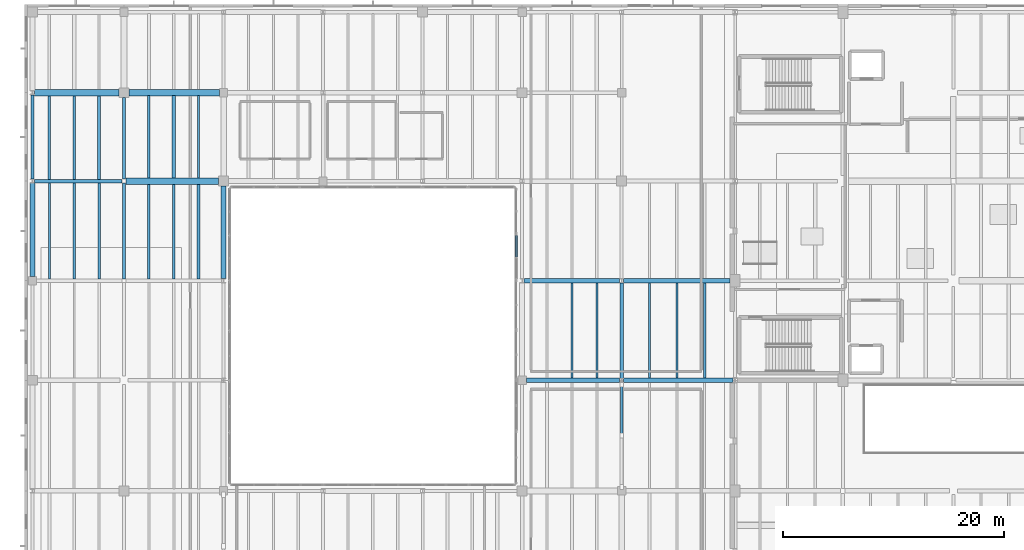
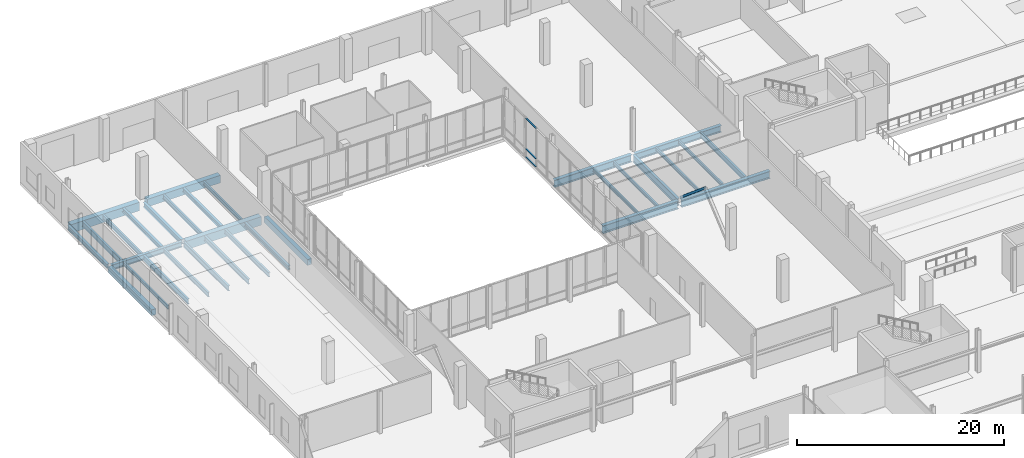
# One storey, part 39 of 88: 31 beams, 4 members, 1 element without a shape of its own.
"""IFC4 building model written with IfcOpenShell, lengths in metres."""

from ifc_helpers import new_model, si_unit, direction, frame, origin, origin_2d, place, context, subcontext, project, spatial, rectangle, hollow_rectangle, i_section, extrude, material, material_profile, profile_set, type_object, element, aggregate, save


model = new_model("IFC4")

# Units and contexts
model_context = context("Model", 3, precision=1e-05, world=origin(), true_north=direction((0.0, 1.0)))
body_context = subcontext(model_context, "Body", "Model", "MODEL_VIEW")
ifc_project = project(units=[si_unit("LENGTHUNIT", "METRE"), si_unit("AREAUNIT", "SQUARE_METRE"), si_unit("VOLUMEUNIT", "CUBIC_METRE"), si_unit("PLANEANGLEUNIT", "RADIAN"), si_unit("MASSUNIT", "GRAM", prefix="KILO")], contexts=[model_context])

# Site, building, storey
site_placement = place(None, origin())
site = spatial("IfcSite", under=ifc_project, at=site_placement, CompositionType="ELEMENT")
building_placement = place(site_placement, origin())
building = spatial("IfcBuilding", under=site, at=building_placement, Name="Trimount Lyric Opera House", CompositionType="ELEMENT")
storey_placement = place(building_placement, origin())
storey = spatial("IfcBuildingStorey", under=building, at=storey_placement, Name="L00", CompositionType="ELEMENT", Elevation=0.0)

# Beams
ifc_material_1 = material(Name="Steel ASTM A992 Grade 50", Category="steel")
ifc_material_profile_1 = material_profile(ifc_material_1, i_section(OverallWidth=0.4189453125, OverallDepth=0.927001953125, WebThickness=0.019287109375, FlangeThickness=0.031982421875, FilletRadius=0.02392578125, at=origin_2d()), Name="W36X231")
ifc_profile_set_1 = profile_set([ifc_material_profile_1], Name="Steel ASTM A992 Grade 50")
beam_type_1 = type_object("IfcBeamType", Name="B-02", PredefinedType="BEAM", material=ifc_profile_set_1)
beam_1_placement = place(storey_placement, frame((45.375, 84.0, -0.8134765625), z_axis=(1.0, 0.0, 0.0), x_axis=(0.0, 1.0, 0.0)))
element("IfcBeam", 1, at=beam_1_placement, inside=storey, type_object=beam_type_1, Name="L00 girder X-0162", PredefinedType="BEAM", context=body_context, shape_type="SweptSolid", body=[
    extrude(i_section(OverallWidth=0.4189453125, OverallDepth=0.927001953125, WebThickness=0.019287109375, FlangeThickness=0.031982421875, FilletRadius=0.02392578125, at=origin_2d()), origin(), (0.0, 0.0, 1.0), 8.44091796875),
])
ifc_material_2 = material(Name="Steel ASTM A992 Grade 50", Category="steel")
ifc_material_profile_2 = material_profile(ifc_material_2, i_section(OverallWidth=0.40087890625, OverallDepth=0.861083984375, WebThickness=0.019775390625, FlangeThickness=0.032470703125, FilletRadius=0.02001953125, at=origin_2d()), Name="W33X221")
ifc_profile_set_2 = profile_set([ifc_material_profile_2], Name="Steel ASTM A992 Grade 50")
beam_type_2 = type_object("IfcBeamType", Name="B-04", PredefinedType="BEAM", material=ifc_profile_set_2)
beam_2_placement = place(storey_placement, frame((54.18408203125, 84.0, -0.83056640625), z_axis=(1.0, 0.0, 0.0), x_axis=(0.0, 1.0, 0.0)))
element("IfcBeam", 2, at=beam_2_placement, inside=storey, type_object=beam_type_2, Name="L00 girder X-0163", PredefinedType="BEAM", context=body_context, shape_type="SweptSolid", body=[
    extrude(i_section(OverallWidth=0.40087890625, OverallDepth=0.861083984375, WebThickness=0.019775390625, FlangeThickness=0.032470703125, FilletRadius=0.02001953125, at=origin_2d()), origin(), (0.0, 0.0, 1.0), 9.864990234375),
])
beam_3_placement = place(storey_placement, frame((45.18408203125, 93.0, -0.780517578125), z_axis=(1.0, 0.0, 0.0), x_axis=(0.0, 1.0, 0.0)))
element("IfcBeam", 3, at=beam_3_placement, inside=storey, type_object=beam_type_2, Name="L00 girder X-0175", PredefinedType="BEAM", context=body_context, shape_type="SweptSolid", body=[
    extrude(i_section(OverallWidth=0.40087890625, OverallDepth=0.861083984375, WebThickness=0.019775390625, FlangeThickness=0.032470703125, FilletRadius=0.02001953125, at=origin_2d()), origin(), (0.0, 0.0, 1.0), 8.62939453125),
])
ifc_material_3 = material(Name="Steel ASTM A992 Grade 50", Category="steel")
ifc_material_profile_3 = material_profile(ifc_material_3, i_section(OverallWidth=0.2919921875, OverallDepth=0.845947265625, WebThickness=0.015380859375, FlangeThickness=0.0244140625, FilletRadius=0.01806640625, at=origin_2d()), Name="W33X141")
ifc_profile_set_3 = profile_set([ifc_material_profile_3], Name="Steel ASTM A992 Grade 50")
beam_type_3 = type_object("IfcBeamType", Name="B-05", PredefinedType="BEAM", material=ifc_profile_set_3)
beam_4_placement = place(storey_placement, frame((54.0, 84.177978515625, -0.77294921875), z_axis=(0.0, 1.0, 0.0), x_axis=(-1.0, 0.0, 0.0)))
element("IfcBeam", 4, at=beam_4_placement, inside=storey, type_object=beam_type_3, Name="L00 girder Y-0305", PredefinedType="BEAM", context=body_context, shape_type="SweptSolid", body=[
    extrude(i_section(OverallWidth=0.2919921875, OverallDepth=0.845947265625, WebThickness=0.015380859375, FlangeThickness=0.0244140625, FilletRadius=0.01806640625, at=origin_2d()), origin(), (0.0, 0.0, 1.0), 8.637939453125),
])
ifc_material_4 = material(Name="Steel ASTM A992 Grade 50", Category="steel")
ifc_material_profile_4 = material_profile(ifc_material_4, i_section(OverallWidth=0.382080078125, OverallDepth=0.779052734375, WebThickness=0.01806640625, FlangeThickness=0.0302734375, FilletRadius=0.01904296875, at=origin_2d()), Name="W30X191")
ifc_profile_set_4 = profile_set([ifc_material_profile_4], Name="Steel ASTM A992 Grade 50")
beam_type_4 = type_object("IfcBeamType", Name="B-06", PredefinedType="BEAM", material=ifc_profile_set_4)
beam_5_placement = place(storey_placement, frame((54.1865234375, 93.0, -0.78955078125), z_axis=(1.0, 0.0, 0.0), x_axis=(0.0, 1.0, 0.0)))
element("IfcBeam", 5, at=beam_5_placement, inside=storey, type_object=beam_type_4, Name="L00 girder X-0176", PredefinedType="BEAM", context=body_context, shape_type="SweptSolid", body=[
    extrude(i_section(OverallWidth=0.382080078125, OverallDepth=0.779052734375, WebThickness=0.01806640625, FlangeThickness=0.0302734375, FilletRadius=0.01904296875, at=origin_2d()), origin(), (0.0, 0.0, 1.0), 9.62353515625),
])
ifc_material_5 = material(Name="Steel ASTM A992 Grade 50", Category="steel")
ifc_material_profile_5 = material_profile(ifc_material_5, i_section(OverallWidth=0.327880859375, OverallDepth=0.626953125, WebThickness=0.0166015625, FlangeThickness=0.027587890625, FilletRadius=0.01611328125, at=origin_2d()), Name="W24X146")
ifc_profile_set_5 = profile_set([ifc_material_profile_5], Name="Steel ASTM A992 Grade 50")
beam_type_5 = type_object("IfcBeamType", Name="B-10", PredefinedType="BEAM", material=ifc_profile_set_5)
beam_6_placement = place(storey_placement, frame((0.904052734375, 102.0, -0.66357421875), z_axis=(1.0, 0.0, 0.0), x_axis=(0.0, 1.0, 0.0)))
element("IfcBeam", 6, at=beam_6_placement, inside=storey, type_object=beam_type_5, Name="L00 girder X-0186", PredefinedType="BEAM", context=body_context, shape_type="SweptSolid", body=[
    extrude(i_section(OverallWidth=0.327880859375, OverallDepth=0.626953125, WebThickness=0.0166015625, FlangeThickness=0.027587890625, FilletRadius=0.01611328125, at=origin_2d()), origin(), (0.0, 0.0, 1.0), 7.909423828125),
])
ifc_material_6 = material(Name="Steel ASTM A992 Grade 50", Category="steel")
ifc_material_profile_6 = material_profile(ifc_material_6, i_section(OverallWidth=0.22998046875, OverallDepth=0.616943359375, WebThickness=0.01318359375, FlangeThickness=0.022216796875, FilletRadius=0.013916015625, at=origin_2d()), Name="W24X94")
ifc_profile_set_6 = profile_set([ifc_material_profile_6], Name="Steel ASTM A992 Grade 50")
beam_type_6 = type_object("IfcBeamType", Name="B-11", PredefinedType="BEAM", material=ifc_profile_set_6)
beam_7_placement = place(storey_placement, frame((9.0, 93.177978515625, -0.658447265625), z_axis=(0.0, 1.0, 0.0), x_axis=(-1.0, 0.0, 0.0)))
element("IfcBeam", 7, at=beam_7_placement, inside=storey, type_object=beam_type_6, Name="L00 girder Y-0260", PredefinedType="BEAM", context=body_context, shape_type="SweptSolid", body=[
    extrude(i_section(OverallWidth=0.22998046875, OverallDepth=0.616943359375, WebThickness=0.01318359375, FlangeThickness=0.022216796875, FilletRadius=0.013916015625, at=origin_2d()), origin(), (0.0, 0.0, 1.0), 8.637939453125),
])
ifc_material_7 = material(Name="Steel ASTM A992 Grade 50", Category="steel")
ifc_material_profile_7 = material_profile(ifc_material_7, i_section(OverallWidth=0.31201171875, OverallDepth=0.5458984375, WebThickness=0.013916015625, FlangeThickness=0.022216796875, FilletRadius=0.014892578125, at=origin_2d()), Name="W21X111")
ifc_profile_set_7 = profile_set([ifc_material_profile_7], Name="Steel ASTM A992 Grade 50")
beam_type_7 = type_object("IfcBeamType", Name="B-12", PredefinedType="BEAM", material=ifc_profile_set_7)
beam_8_placement = place(storey_placement, frame((9.0, 102.18408203125, -0.623046875), z_axis=(0.0, 1.0, 0.0), x_axis=(-1.0, 0.0, 0.0)))
element("IfcBeam", 8, at=beam_8_placement, inside=storey, type_object=beam_type_7, Name="L00 girder Y-0261", PredefinedType="BEAM", context=body_context, shape_type="SweptSolid", body=[
    extrude(i_section(OverallWidth=0.31201171875, OverallDepth=0.5458984375, WebThickness=0.013916015625, FlangeThickness=0.022216796875, FilletRadius=0.014892578125, at=origin_2d()), origin(), (0.0, 0.0, 1.0), 7.365966796875),
])
ifc_material_8 = material(Name="Concrete C40/50", Category="concrete")
ifc_material_profile_8 = material_profile(ifc_material_8, rectangle(XDim=0.60009765625, YDim=1.0, at=origin_2d()), Name="RC600X1000")
ifc_profile_set_8 = profile_set([ifc_material_profile_8], Name="Concrete C40/50")
beam_type_8 = type_object("IfcBeamType", Name="B-13", PredefinedType="BEAM", material=ifc_profile_set_8)
beam_9_placement = place(storey_placement, frame((9.1865234375, 102.0, -0.85009765625), z_axis=(1.0, 0.0, 0.0), x_axis=(0.0, 1.0, 0.0)))
element("IfcBeam", 9, at=beam_9_placement, inside=storey, type_object=beam_type_8, Name="L00 girder X-0187", PredefinedType="BEAM", context=body_context, shape_type="SweptSolid", body=[
    extrude(rectangle(XDim=0.60009765625, YDim=1.0, at=origin_2d()), origin(), (0.0, 0.0, 1.0), 8.363525390625),
])
beam_10_placement = place(storey_placement, frame((0.906494140625, 110.0, -0.85009765625), z_axis=(1.0, 0.0, 0.0), x_axis=(0.0, 1.0, 0.0)))
element("IfcBeam", 10, at=beam_10_placement, inside=storey, type_object=beam_type_8, Name="L00 girder X-0205", PredefinedType="BEAM", context=body_context, shape_type="SweptSolid", body=[
    extrude(rectangle(XDim=0.60009765625, YDim=1.0, at=origin_2d()), origin(), (0.0, 0.0, 1.0), 7.6435546875),
])
ifc_material_9 = material(Name="Concrete C40/50", Category="concrete")
ifc_material_profile_9 = material_profile(ifc_material_9, rectangle(XDim=0.550048828125, YDim=0.89990234375, at=origin_2d()), Name="RC550X900")
ifc_profile_set_9 = profile_set([ifc_material_profile_9], Name="Concrete C40/50")
beam_type_9 = type_object("IfcBeamType", Name="B-14", PredefinedType="BEAM", material=ifc_profile_set_9)
beam_11_placement = place(storey_placement, frame((9.449951171875, 110.0, -0.800048828125), z_axis=(1.0, 0.0, 0.0), x_axis=(0.0, 1.0, 0.0)))
element("IfcBeam", 11, at=beam_11_placement, inside=storey, type_object=beam_type_9, Name="L00 girder X-0206", PredefinedType="BEAM", context=body_context, shape_type="SweptSolid", body=[
    extrude(rectangle(XDim=0.550048828125, YDim=0.89990234375, at=origin_2d()), origin(), (0.0, 0.0, 1.0), 8.175048828125),
])

# Member
ifc_material_10 = material(Name="Steel ASTM A500 Grade C", Category="steel")
ifc_material_profile_10 = material_profile(ifc_material_10, hollow_rectangle(XDim=0.25390625, YDim=0.25390625, WallThickness=0.01171875, InnerFilletRadius=0.01220703125, OuterFilletRadius=0.02392578125, at=origin_2d()), Name="HSS254.0X254.0X12.7")
ifc_profile_set_10 = profile_set([ifc_material_profile_10], Name="Steel ASTM A500 Grade C")
member_type_1 = type_object("IfcMemberType", Name="BR-03", PredefinedType="BRACE", material=ifc_profile_set_10)
member_1_placement = place(storey_placement, frame((54.0, 83.64990234375, 0.14990234375), z_axis=(0.0, -0.766173014074, 0.642634353661), x_axis=(1.0, 0.0, 0.0)))
element("IfcMember", 12, at=member_1_placement, inside=storey, type_object=member_type_1, Name="L00 lateral chevron brace BF-2.2", PredefinedType="BRACE", context=body_context, shape_type="SweptSolid", body=[
    extrude(hollow_rectangle(XDim=0.25390625, YDim=0.25390625, WallThickness=0.01171875, InnerFilletRadius=0.01220703125, OuterFilletRadius=0.02392578125, at=origin_2d()), origin(), (0.0, 0.0, 1.0), 6.069091796875),
])

# Beams
ifc_material_11 = material(Name="Steel ASTM A992 Grade 50", Category="steel")
ifc_material_profile_11 = material_profile(ifc_material_11, i_section(OverallWidth=0.22802734375, OverallDepth=0.60205078125, WebThickness=0.010498046875, FlangeThickness=0.014892578125, FilletRadius=0.012939453125, at=origin_2d()), Name="W24X68")
ifc_profile_set_11 = profile_set([ifc_material_profile_11], Name="Steel ASTM A992 Grade 50")
beam_type_10 = type_object("IfcBeamType", Name="J-01", PredefinedType="BEAM", material=ifc_profile_set_11)
beam_12_placement = place(storey_placement, frame((4.5, 93.174072265625, -0.65087890625), z_axis=(0.0, 1.0, 0.0), x_axis=(-1.0, 0.0, 0.0)))
element("IfcBeam", 13, at=beam_12_placement, inside=storey, type_object=beam_type_10, Name="L00 composite floor joist 0032", PredefinedType="BEAM", context=body_context, shape_type="SweptSolid", body=[
    extrude(i_section(OverallWidth=0.22802734375, OverallDepth=0.60205078125, WebThickness=0.010498046875, FlangeThickness=0.014892578125, FilletRadius=0.012939453125, at=origin_2d()), origin(), (0.0, 0.0, 1.0), 8.666015625),
])
beam_13_placement = place(storey_placement, frame((2.25, 102.159912109375, -0.65087890625), z_axis=(0.0, 1.0, 0.0), x_axis=(-1.0, 0.0, 0.0)))
element("IfcBeam", 14, at=beam_13_placement, inside=storey, type_object=beam_type_10, Name="L00 composite floor joist 0034", PredefinedType="BEAM", context=body_context, shape_type="SweptSolid", body=[
    extrude(i_section(OverallWidth=0.22802734375, OverallDepth=0.60205078125, WebThickness=0.010498046875, FlangeThickness=0.014892578125, FilletRadius=0.012939453125, at=origin_2d()), origin(), (0.0, 0.0, 1.0), 7.544189453125),
])
beam_14_placement = place(storey_placement, frame((11.25, 93.159912109375, -0.65087890625), z_axis=(0.0, 1.0, 0.0), x_axis=(-1.0, 0.0, 0.0)))
element("IfcBeam", 15, at=beam_14_placement, inside=storey, type_object=beam_type_10, Name="L00 composite floor joist 0058", PredefinedType="BEAM", context=body_context, shape_type="SweptSolid", body=[
    extrude(i_section(OverallWidth=0.22802734375, OverallDepth=0.60205078125, WebThickness=0.010498046875, FlangeThickness=0.014892578125, FilletRadius=0.012939453125, at=origin_2d()), origin(), (0.0, 0.0, 1.0), 8.544189453125),
])
beam_15_placement = place(storey_placement, frame((61.5, 84.196533203125, -0.65087890625), z_axis=(0.0, 1.0, 0.0), x_axis=(-1.0, 0.0, 0.0)))
element("IfcBeam", 16, at=beam_15_placement, inside=storey, type_object=beam_type_10, Name="L00 composite floor joist 0180", PredefinedType="BEAM", context=body_context, shape_type="SweptSolid", body=[
    extrude(i_section(OverallWidth=0.22802734375, OverallDepth=0.60205078125, WebThickness=0.010498046875, FlangeThickness=0.014892578125, FilletRadius=0.012939453125, at=origin_2d()), origin(), (0.0, 0.0, 1.0), 8.616455078125),
])
ifc_material_12 = material(Name="Steel ASTM A992 Grade 50", Category="steel")
ifc_material_profile_12 = material_profile(ifc_material_12, i_section(OverallWidth=0.2099609375, OverallDepth=0.532958984375, WebThickness=0.01025390625, FlangeThickness=0.015625, FilletRadius=0.012939453125, at=origin_2d()), Name="W21X62")
ifc_profile_set_12 = profile_set([ifc_material_profile_12], Name="Steel ASTM A992 Grade 50")
beam_type_11 = type_object("IfcBeamType", Name="J-02", PredefinedType="BEAM", material=ifc_profile_set_12)
beam_16_placement = place(storey_placement, frame((6.75, 93.174072265625, -0.616455078125), z_axis=(0.0, 1.0, 0.0), x_axis=(-1.0, 0.0, 0.0)))
element("IfcBeam", 17, at=beam_16_placement, inside=storey, type_object=beam_type_11, Name="L00 composite floor joist 0033", PredefinedType="BEAM", context=body_context, shape_type="SweptSolid", body=[
    extrude(i_section(OverallWidth=0.2099609375, OverallDepth=0.532958984375, WebThickness=0.01025390625, FlangeThickness=0.015625, FilletRadius=0.012939453125, at=origin_2d()), origin(), (0.0, 0.0, 1.0), 8.666015625),
])
beam_17_placement = place(storey_placement, frame((4.5, 102.159912109375, -0.616455078125), z_axis=(0.0, 1.0, 0.0), x_axis=(-1.0, 0.0, 0.0)))
element("IfcBeam", 18, at=beam_17_placement, inside=storey, type_object=beam_type_11, Name="L00 composite floor joist 0035", PredefinedType="BEAM", context=body_context, shape_type="SweptSolid", body=[
    extrude(i_section(OverallWidth=0.2099609375, OverallDepth=0.532958984375, WebThickness=0.01025390625, FlangeThickness=0.015625, FilletRadius=0.012939453125, at=origin_2d()), origin(), (0.0, 0.0, 1.0), 7.544189453125),
])
beam_18_placement = place(storey_placement, frame((13.5, 93.159912109375, -0.616455078125), z_axis=(0.0, 1.0, 0.0), x_axis=(-1.0, 0.0, 0.0)))
element("IfcBeam", 19, at=beam_18_placement, inside=storey, type_object=beam_type_11, Name="L00 composite floor joist 0059", PredefinedType="BEAM", context=body_context, shape_type="SweptSolid", body=[
    extrude(i_section(OverallWidth=0.2099609375, OverallDepth=0.532958984375, WebThickness=0.01025390625, FlangeThickness=0.015625, FilletRadius=0.012939453125, at=origin_2d()), origin(), (0.0, 0.0, 1.0), 8.544189453125),
])
beam_19_placement = place(storey_placement, frame((11.25, 102.2958984375, -0.616455078125), z_axis=(0.0, 1.0, 0.0), x_axis=(-1.0, 0.0, 0.0)))
element("IfcBeam", 20, at=beam_19_placement, inside=storey, type_object=beam_type_11, Name="L00 composite floor joist 0061", PredefinedType="BEAM", context=body_context, shape_type="SweptSolid", body=[
    extrude(i_section(OverallWidth=0.2099609375, OverallDepth=0.532958984375, WebThickness=0.01025390625, FlangeThickness=0.015625, FilletRadius=0.012939453125, at=origin_2d()), origin(), (0.0, 0.0, 1.0), 7.43310546875),
])
ifc_material_13 = material(Name="Steel ASTM A992 Grade 50", Category="steel")
ifc_material_profile_13 = material_profile(ifc_material_13, i_section(OverallWidth=0.281982421875, OverallDepth=0.467041015625, WebThickness=0.01220703125, FlangeThickness=0.01953125, FilletRadius=0.012939453125, at=origin_2d()), Name="W18X86")
ifc_profile_set_13 = profile_set([ifc_material_profile_13], Name="Steel ASTM A992 Grade 50")
beam_type_12 = type_object("IfcBeamType", Name="J-03", PredefinedType="BEAM", material=ifc_profile_set_13)
beam_20_placement = place(storey_placement, frame((6.75, 102.159912109375, -0.58349609375), z_axis=(0.0, 1.0, 0.0), x_axis=(-1.0, 0.0, 0.0)))
element("IfcBeam", 21, at=beam_20_placement, inside=storey, type_object=beam_type_12, Name="L00 composite floor joist 0036", PredefinedType="BEAM", context=body_context, shape_type="SweptSolid", body=[
    extrude(i_section(OverallWidth=0.281982421875, OverallDepth=0.467041015625, WebThickness=0.01220703125, FlangeThickness=0.01953125, FilletRadius=0.012939453125, at=origin_2d()), origin(), (0.0, 0.0, 1.0), 7.544189453125),
])
beam_21_placement = place(storey_placement, frame((15.75, 93.159912109375, -0.58349609375), z_axis=(0.0, 1.0, 0.0), x_axis=(-1.0, 0.0, 0.0)))
element("IfcBeam", 22, at=beam_21_placement, inside=storey, type_object=beam_type_12, Name="L00 composite floor joist 0060", PredefinedType="BEAM", context=body_context, shape_type="SweptSolid", body=[
    extrude(i_section(OverallWidth=0.281982421875, OverallDepth=0.467041015625, WebThickness=0.01220703125, FlangeThickness=0.01953125, FilletRadius=0.012939453125, at=origin_2d()), origin(), (0.0, 0.0, 1.0), 8.544189453125),
])
beam_22_placement = place(storey_placement, frame((13.5, 102.2958984375, -0.58349609375), z_axis=(0.0, 1.0, 0.0), x_axis=(-1.0, 0.0, 0.0)))
element("IfcBeam", 23, at=beam_22_placement, inside=storey, type_object=beam_type_12, Name="L00 composite floor joist 0062", PredefinedType="BEAM", context=body_context, shape_type="SweptSolid", body=[
    extrude(i_section(OverallWidth=0.281982421875, OverallDepth=0.467041015625, WebThickness=0.01220703125, FlangeThickness=0.01953125, FilletRadius=0.012939453125, at=origin_2d()), origin(), (0.0, 0.0, 1.0), 7.43310546875),
])
ifc_material_14 = material(Name="Steel ASTM A992 Grade 50", Category="steel")
ifc_material_profile_14 = material_profile(ifc_material_14, i_section(OverallWidth=0.19091796875, OverallDepth=0.45703125, WebThickness=0.009033203125, FlangeThickness=0.014404296875, FilletRadius=0.010986328125, at=origin_2d()), Name="W18X50")
ifc_profile_set_14 = profile_set([ifc_material_profile_14], Name="Steel ASTM A992 Grade 50")
beam_type_13 = type_object("IfcBeamType", Name="J-04", PredefinedType="BEAM", material=ifc_profile_set_14)
beam_23_placement = place(storey_placement, frame((15.75, 102.2958984375, -0.57861328125), z_axis=(0.0, 1.0, 0.0), x_axis=(-1.0, 0.0, 0.0)))
element("IfcBeam", 24, at=beam_23_placement, inside=storey, type_object=beam_type_13, Name="L00 composite floor joist 0063", PredefinedType="BEAM", context=body_context, shape_type="SweptSolid", body=[
    extrude(i_section(OverallWidth=0.19091796875, OverallDepth=0.45703125, WebThickness=0.009033203125, FlangeThickness=0.014404296875, FilletRadius=0.010986328125, at=origin_2d()), origin(), (0.0, 0.0, 1.0), 7.43310546875),
])
ifc_material_15 = material(Name="Steel ASTM A992 Grade 50", Category="steel")
ifc_material_profile_15 = material_profile(ifc_material_15, i_section(OverallWidth=0.180908203125, OverallDepth=0.4169921875, WebThickness=0.010986328125, FlangeThickness=0.018310546875, FilletRadius=0.010986328125, at=origin_2d()), Name="W16X57")
ifc_profile_set_15 = profile_set([ifc_material_profile_15], Name="Steel ASTM A992 Grade 50")
beam_type_14 = type_object("IfcBeamType", Name="J-05", PredefinedType="BEAM", material=ifc_profile_set_15)
beam_24_placement = place(storey_placement, frame((49.5, 84.20556640625, -0.55859375), z_axis=(0.0, 1.0, 0.0), x_axis=(-1.0, 0.0, 0.0)))
element("IfcBeam", 25, at=beam_24_placement, inside=storey, type_object=beam_type_14, Name="L00 composite floor joist 0143", PredefinedType="BEAM", context=body_context, shape_type="SweptSolid", body=[
    extrude(i_section(OverallWidth=0.180908203125, OverallDepth=0.4169921875, WebThickness=0.010986328125, FlangeThickness=0.018310546875, FilletRadius=0.010986328125, at=origin_2d()), origin(), (0.0, 0.0, 1.0), 8.597900390625),
])
beam_25_placement = place(storey_placement, frame((56.5, 84.196533203125, -0.55859375), z_axis=(0.0, 1.0, 0.0), x_axis=(-1.0, 0.0, 0.0)))
element("IfcBeam", 26, at=beam_25_placement, inside=storey, type_object=beam_type_14, Name="L00 composite floor joist 0178", PredefinedType="BEAM", context=body_context, shape_type="SweptSolid", body=[
    extrude(i_section(OverallWidth=0.180908203125, OverallDepth=0.4169921875, WebThickness=0.010986328125, FlangeThickness=0.018310546875, FilletRadius=0.010986328125, at=origin_2d()), origin(), (0.0, 0.0, 1.0), 8.616455078125),
])
ifc_material_16 = material(Name="Steel ASTM A992 Grade 50", Category="steel")
ifc_material_profile_16 = material_profile(ifc_material_16, i_section(OverallWidth=0.177978515625, OverallDepth=0.404052734375, WebThickness=0.007568359375, FlangeThickness=0.010986328125, FilletRadius=0.010009765625, at=origin_2d()), Name="W16X36")
ifc_profile_set_16 = profile_set([ifc_material_profile_16], Name="Steel ASTM A992 Grade 50")
beam_type_15 = type_object("IfcBeamType", Name="J-06", PredefinedType="BEAM", material=ifc_profile_set_16)
beam_26_placement = place(storey_placement, frame((2.25, 93.174072265625, -0.552001953125), z_axis=(0.0, 1.0, 0.0), x_axis=(-1.0, 0.0, 0.0)))
element("IfcBeam", 27, at=beam_26_placement, inside=storey, type_object=beam_type_15, Name="L00 composite floor joist 0031", PredefinedType="BEAM", context=body_context, shape_type="SweptSolid", body=[
    extrude(i_section(OverallWidth=0.177978515625, OverallDepth=0.404052734375, WebThickness=0.007568359375, FlangeThickness=0.010986328125, FilletRadius=0.010009765625, at=origin_2d()), origin(), (0.0, 0.0, 1.0), 8.666015625),
])
beam_27_placement = place(storey_placement, frame((51.75, 84.20556640625, -0.552001953125), z_axis=(0.0, 1.0, 0.0), x_axis=(-1.0, 0.0, 0.0)))
element("IfcBeam", 28, at=beam_27_placement, inside=storey, type_object=beam_type_15, Name="L00 composite floor joist 0144", PredefinedType="BEAM", context=body_context, shape_type="SweptSolid", body=[
    extrude(i_section(OverallWidth=0.177978515625, OverallDepth=0.404052734375, WebThickness=0.007568359375, FlangeThickness=0.010986328125, FilletRadius=0.010009765625, at=origin_2d()), origin(), (0.0, 0.0, 1.0), 8.597900390625),
])
beam_28_placement = place(storey_placement, frame((59.0, 84.196533203125, -0.552001953125), z_axis=(0.0, 1.0, 0.0), x_axis=(-1.0, 0.0, 0.0)))
element("IfcBeam", 29, at=beam_28_placement, inside=storey, type_object=beam_type_15, Name="L00 composite floor joist 0179", PredefinedType="BEAM", context=body_context, shape_type="SweptSolid", body=[
    extrude(i_section(OverallWidth=0.177978515625, OverallDepth=0.404052734375, WebThickness=0.007568359375, FlangeThickness=0.010986328125, FilletRadius=0.010009765625, at=origin_2d()), origin(), (0.0, 0.0, 1.0), 8.616455078125),
])
ifc_material_17 = material(Name="Steel ASTM A992 Grade 50", Category="steel")
ifc_material_profile_17 = material_profile(ifc_material_17, i_section(OverallWidth=0.281982421875, OverallDepth=0.467041015625, WebThickness=0.01220703125, FlangeThickness=0.01953125, FilletRadius=0.012939453125, at=origin_2d()), Name="W18X86")
ifc_profile_set_17 = profile_set([ifc_material_profile_17], Name="Steel ASTM A992 Grade 50")
beam_type_16 = type_object("IfcBeamType", Name="SP-01", PredefinedType="SPANDREL", material=ifc_profile_set_17)
beam_29_placement = place(storey_placement, frame((0.719970703125, 102.177978515625, -0.58349609375), z_axis=(0.0, 1.0, 0.0), x_axis=(-1.0, 0.0, 0.0)))
element("IfcBeam", 30, at=beam_29_placement, inside=storey, type_object=beam_type_16, Name="L00 girder Y-0248", PredefinedType="SPANDREL", context=body_context, shape_type="SweptSolid", body=[
    extrude(i_section(OverallWidth=0.281982421875, OverallDepth=0.467041015625, WebThickness=0.01220703125, FlangeThickness=0.01953125, FilletRadius=0.012939453125, at=origin_2d()), origin(), (0.0, 0.0, 1.0), 7.637939453125),
])
ifc_material_18 = material(Name="Concrete C40/50", Category="concrete")
ifc_material_profile_18 = material_profile(ifc_material_18, rectangle(XDim=0.449951171875, YDim=0.699951171875, at=origin_2d()), Name="RC450X700")
ifc_profile_set_18 = profile_set([ifc_material_profile_18], Name="Concrete C40/50")
beam_type_17 = type_object("IfcBeamType", Name="SP-02", PredefinedType="SPANDREL", material=ifc_profile_set_18)
beam_30_placement = place(storey_placement, frame((0.719970703125, 93.375, -0.699951171875), z_axis=(0.0, 1.0, 0.0), x_axis=(-1.0, 0.0, 0.0)))
element("IfcBeam", 31, at=beam_30_placement, inside=storey, type_object=beam_type_17, Name="L00 girder Y-0247", PredefinedType="SPANDREL", context=body_context, shape_type="SweptSolid", body=[
    extrude(rectangle(XDim=0.449951171875, YDim=0.699951171875, at=origin_2d()), origin(), (0.0, 0.0, 1.0), 8.447021484375),
])
beam_31_placement = place(storey_placement, frame((18.0, 93.18408203125, -0.699951171875), z_axis=(0.0, 1.0, 0.0), x_axis=(-1.0, 0.0, 0.0)))
element("IfcBeam", 32, at=beam_31_placement, inside=storey, type_object=beam_type_17, Name="L00 girder Y-0269", PredefinedType="SPANDREL", context=body_context, shape_type="SweptSolid", body=[
    extrude(rectangle(XDim=0.449951171875, YDim=0.699951171875, at=origin_2d()), origin(), (0.0, 0.0, 1.0), 8.365966796875),
])

# Curtain wall, members
ifc_material_19 = material(Name="Thermally Broken Aluminium and Low-E Glass", Category="aluminium")
curtain_wall_type = type_object("IfcCurtainWallType", Name="CW-03", PredefinedType="NOTDEFINED", material=ifc_material_19)
curtain_wall_placement = place(storey_placement, origin())
curtain_wall = element("IfcCurtainWall", 33, at=curtain_wall_placement, inside=storey, type_object=curtain_wall_type, Name="L00 curtain wall 063", PredefinedType="NOTDEFINED")
ifc_material_20 = material(Name="Anodised Aluminium 6063-T6", Category="aluminium")
ifc_material_profile_19 = material_profile(ifc_material_20, rectangle(XDim=0.159912109375, YDim=0.070068359375, at=origin_2d()), Name="ALU-TRAN-70X160")
ifc_profile_set_19 = profile_set([ifc_material_profile_19], Name="Anodised Aluminium 6063-T6")
member_type_2 = type_object("IfcMemberType", Name="TR-01", PredefinedType="USERDEFINED", material=ifc_profile_set_19)
member_2_placement = place(storey_placement, frame((44.4599609375, 95.159912109375, 0.080078125), z_axis=(0.0, 1.0, 0.0), x_axis=(-1.0, 0.0, 0.0)))
member_2 = element("IfcMember", 34, at=member_2_placement, type_object=member_type_2, Name="CW-03 transom 2.1", ObjectType="TRANSOM", PredefinedType="USERDEFINED", context=body_context, shape_type="SweptSolid", body=[
    extrude(rectangle(XDim=0.159912109375, YDim=0.070068359375, at=origin_2d()), origin(), (0.0, 0.0, 1.0), 1.93017578125),
])
member_3_placement = place(storey_placement, frame((44.4599609375, 95.159912109375, 1.050048828125), z_axis=(0.0, 1.0, 0.0), x_axis=(-1.0, 0.0, 0.0)))
member_3 = element("IfcMember", 35, at=member_3_placement, type_object=member_type_2, Name="CW-03 transom 2.2", ObjectType="TRANSOM", PredefinedType="USERDEFINED", context=body_context, shape_type="SweptSolid", body=[
    extrude(rectangle(XDim=0.159912109375, YDim=0.070068359375, at=origin_2d()), origin(), (0.0, 0.0, 1.0), 1.93017578125),
])
member_4_placement = place(storey_placement, frame((44.4599609375, 95.159912109375, 4.639892578125), z_axis=(0.0, 1.0, 0.0), x_axis=(-1.0, 0.0, 0.0)))
member_4 = element("IfcMember", 36, at=member_4_placement, type_object=member_type_2, Name="CW-03 transom 2.3", ObjectType="TRANSOM", PredefinedType="USERDEFINED", context=body_context, shape_type="SweptSolid", body=[
    extrude(rectangle(XDim=0.159912109375, YDim=0.070068359375, at=origin_2d()), origin(), (0.0, 0.0, 1.0), 1.93017578125),
])
aggregate(curtain_wall, [member_2, member_3, member_4])

save(model, "model.ifc")
